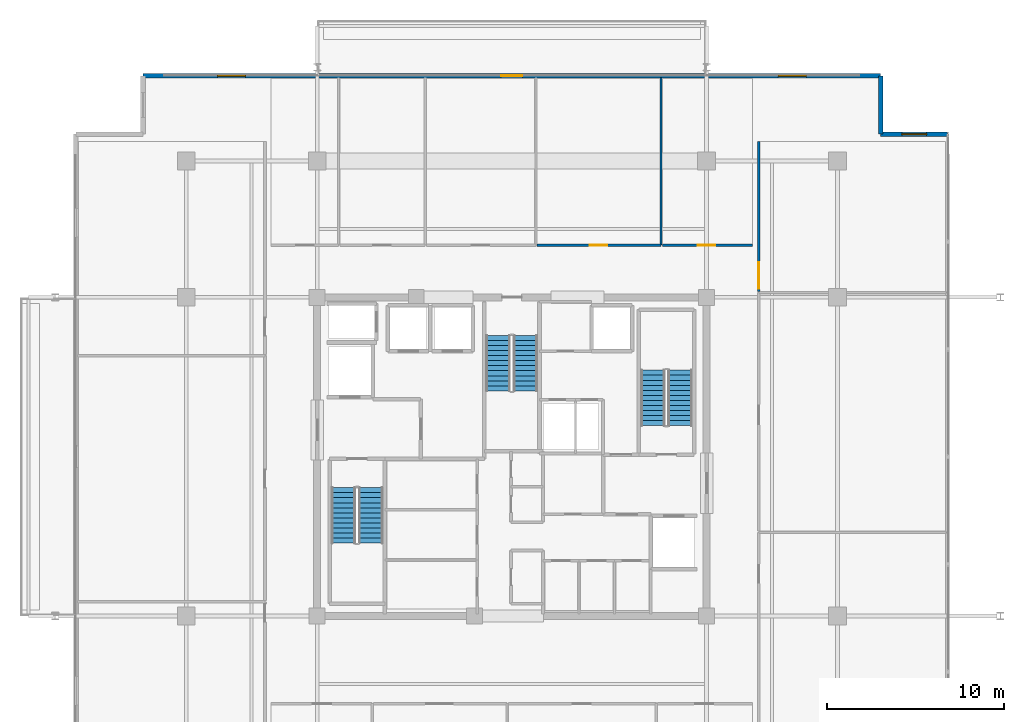
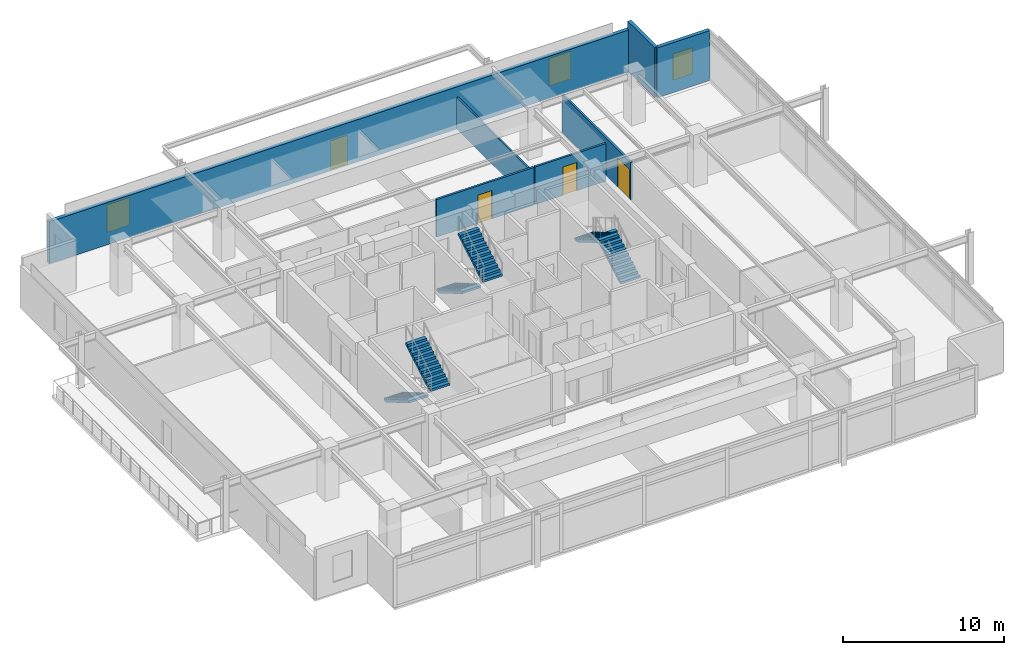
# One storey, part 16 of 20: 7 walls, 6 stair flights, 4 doors, 3 windows, 7 openings, 3 elements without a shape of their own.
"""IFC4 building model written with IfcOpenShell, lengths in metres."""

import ifcopenshell
import ifcopenshell.guid

model = None  # the IFC model being written
_history = None  # IfcOwnerHistory: only IFC2X3 demands one
_inside = {}  # id of a spatial element -> (the spatial element, [elements in it])
_under = {}  # id of a project, library or spatial element -> (it, [spatial elements below it])
_declared = {}  # id of a project -> (the project, [libraries it declares])
_typed = {}  # id of a type object -> (the type object, [elements of that type])
_made_of = {}  # id of a material, layer set ... -> (it, [elements and type objects made of it])


def new_model(schema):
    """Start an empty IFC model of exactly this schema.

    Asked for "IFC4X3", IfcOpenShell would pick the latest addendum, in which some entities
    have other attributes; the version numbers below select the first issue.
    IFC2X3 requires an IfcOwnerHistory on every rooted entity: one is made here for all.
    """
    global model, _history
    if schema == "IFC4X3":
        model = ifcopenshell.file(schema_version=(4, 3, 0, 0))
    else:
        model = ifcopenshell.file(schema=schema)
    _inside.clear()
    _under.clear()
    _declared.clear()
    _typed.clear()
    _made_of.clear()
    _history = None
    if model.schema == "IFC2X3":
        org = make("IfcOrganization", Name="unknown")
        user = make(
            "IfcPersonAndOrganization",
            ThePerson=make("IfcPerson", FamilyName="unknown"),
            TheOrganization=org,
        )
        app = make(
            "IfcApplication",
            ApplicationDeveloper=org,
            Version="unknown",
            ApplicationFullName="unknown",
            ApplicationIdentifier="unknown",
        )
        _history = make(
            "IfcOwnerHistory",
            OwningUser=user,
            OwningApplication=app,
            ChangeAction="ADDED",
            CreationDate=0,
        )
    return model


def make(cls, **values):
    """One entity of the class cls with the attributes given. An attribute that is None is left unset."""
    return model.create_entity(
        cls, **{name: value for name, value in values.items() if value is not None}
    )


def rooted(cls, **values):
    """An entity with a GlobalId (a new one), such as an element, a storey or a relation."""
    return make(cls, GlobalId=ifcopenshell.guid.new(), OwnerHistory=_history, **values)


def si_unit(unit_type, name, prefix=None):
    """IfcSIUnit, for example si_unit("LENGTHUNIT", "METRE", prefix="MILLI")."""
    return make("IfcSIUnit", UnitType=unit_type, Prefix=prefix, Name=name)


def assignment(units):
    """IfcUnitAssignment: the units of a project."""
    return None if units is None else make("IfcUnitAssignment", Units=units)


def point(xyz):
    """IfcCartesianPoint."""
    return None if xyz is None else make("IfcCartesianPoint", Coordinates=xyz)


def direction(xyz):
    """IfcDirection."""
    return None if xyz is None else make("IfcDirection", DirectionRatios=xyz)


def frame(location, z_axis=None, x_axis=None):
    """IfcAxis2Placement3D, a coordinate frame: its origin and axes. An axis left out is left unset."""
    return make(
        "IfcAxis2Placement3D",
        Location=point(location),
        Axis=direction(z_axis),
        RefDirection=direction(x_axis),
    )


def frame_2d(location, x_axis=None):
    """IfcAxis2Placement2D, a coordinate frame in the plane: its origin and x axis."""
    return make(
        "IfcAxis2Placement2D", Location=point(location), RefDirection=direction(x_axis)
    )


def origin():
    """The frame at (0, 0, 0) with its axes left unset."""
    return frame((0.0, 0.0, 0.0))


def place(relative_to, where):
    """IfcLocalPlacement: puts the frame where relative to a parent placement (None: the world)."""
    return make(
        "IfcLocalPlacement", PlacementRelTo=relative_to, RelativePlacement=where
    )


def context(
    kind, dimensions, precision=None, world=None, true_north=None, identifier=None
):
    """IfcGeometricRepresentationContext, for example the 3D "Model" context."""
    return make(
        "IfcGeometricRepresentationContext",
        ContextIdentifier=identifier,
        ContextType=kind,
        CoordinateSpaceDimension=dimensions,
        Precision=precision,
        WorldCoordinateSystem=world,
        TrueNorth=true_north,
    )


def subcontext(parent, identifier, kind, view, scale=None):
    """IfcGeometricRepresentationSubContext, for example "Body" below "Model"."""
    return make(
        "IfcGeometricRepresentationSubContext",
        ContextIdentifier=identifier,
        ContextType=kind,
        ParentContext=parent,
        TargetScale=scale,
        TargetView=view,
    )


def project(units=None, contexts=None):
    """IfcProject with its units and contexts."""
    return rooted(
        "IfcProject",
        Name="project",
        RepresentationContexts=contexts,
        UnitsInContext=assignment(units),
    )


def spatial(cls, under=None, at=None, **own):
    """A site, building, storey or space (cls), placed at a placement, below another one or the project."""
    s = rooted(cls, ObjectPlacement=at, **own)
    if under is not None:
        _under.setdefault(under.id(), (under, []))[1].append(s)
    return s


def polyline(points):
    """IfcPolyline through the points."""
    return make("IfcPolyline", Points=[point(p) for p in points])


def profile(cls, at=None, kind="AREA", **sizes):
    """A parametric profile (cls). Its sizes go by their IFC names, for example OverallWidth=200.0."""
    return make(cls, ProfileType=kind, Position=at, **sizes)


def rectangle(**sizes):
    """IfcRectangleProfileDef."""
    return profile("IfcRectangleProfileDef", **sizes)


def outline(outer, holes=None, kind="AREA"):
    """IfcArbitraryClosedProfileDef: a profile drawn as a closed curve; with holes, ...WithVoids."""
    if holes is None:
        return make("IfcArbitraryClosedProfileDef", ProfileType=kind, OuterCurve=outer)
    return make(
        "IfcArbitraryProfileDefWithVoids",
        ProfileType=kind,
        OuterCurve=outer,
        InnerCurves=holes,
    )


def extrude(swept, where, along, depth):
    """IfcExtrudedAreaSolid: the profile swept, set in the frame where, extruded along a direction by depth."""
    return make(
        "IfcExtrudedAreaSolid",
        SweptArea=swept,
        Position=where,
        ExtrudedDirection=direction(along),
        Depth=depth,
    )


def shape(context_of_items, identifier, shape_type, items):
    """IfcShapeRepresentation: the items that make up one representation, for example the "Body"."""
    return make(
        "IfcShapeRepresentation",
        ContextOfItems=context_of_items,
        RepresentationIdentifier=identifier,
        RepresentationType=shape_type,
        Items=items,
    )


def material(Name=None, Category=None):
    """IfcMaterial."""
    return make("IfcMaterial", Name=Name, Category=Category)


def layer(
    of_material, thickness, ventilated=None, Name=None, Category=None, Priority=None
):
    """IfcMaterialLayer: one layer of a wall or slab, of a material (None: an air gap)."""
    return make(
        "IfcMaterialLayer",
        Material=of_material,
        LayerThickness=thickness,
        IsVentilated=ventilated,
        Name=Name,
        Category=Category,
        Priority=Priority,
    )


def layer_set(layers, Name=None):
    """IfcMaterialLayerSet."""
    return make("IfcMaterialLayerSet", MaterialLayers=layers, LayerSetName=Name)


def made_of(thing, what):
    """Note that an element or type object is made of a material, layer set ...; save() writes the relation."""
    if what is not None:
        _made_of.setdefault(what.id(), (what, []))[1].append(thing)
    return thing


def type_object(cls, material=None, **own):
    """A type object (cls), such as IfcWallType, which elements share."""
    return made_of(rooted(cls, **own), material)


def element(
    cls,
    number,
    at=None,
    inside=None,
    cuts=None,
    type_object=None,
    material=None,
    context=None,
    identifier="Body",
    shape_type=None,
    held_by="IfcProductDefinitionShape",
    body=None,
    shapes=None,
    **own,
):
    """One element of the class cls, such as IfcWall. Its Tag is "e" and its number.

    at: its placement. inside: the storey or other place that contains it. cuts: it is an
    opening in that element (IfcRelVoidsElement). A single representation is given by context,
    identifier, shape_type and body (its items); several are given by shapes. held_by: the class
    of the entity that holds the representations. save() writes the other relations.
    """
    e = rooted(cls, Tag="e%d" % number, ObjectPlacement=at, **own)
    if body is not None:
        shapes = [shape(context, identifier, shape_type, body)]
    if shapes is not None:
        e.Representation = make(held_by, Representations=shapes)
    if inside is not None:
        _inside.setdefault(inside.id(), (inside, []))[1].append(e)
    if cuts is not None:
        rooted(
            "IfcRelVoidsElement", RelatingBuildingElement=cuts, RelatedOpeningElement=e
        )
    if type_object is not None:
        _typed.setdefault(type_object.id(), (type_object, []))[1].append(e)
    return made_of(e, material)


def fill(opening, filler):
    """IfcRelFillsElement: the door or window that sits in an opening."""
    return rooted(
        "IfcRelFillsElement",
        RelatingOpeningElement=opening,
        RelatedBuildingElement=filler,
    )


def aggregate(whole, parts):
    """IfcRelAggregates: a whole, such as a stair, and the parts it consists of."""
    return rooted("IfcRelAggregates", RelatingObject=whole, RelatedObjects=parts)


def save(model, path):
    """Write the relations noted so far, then the file.

    IfcRelAggregates (storeys below a building ...), IfcRelContainedInSpatialStructure (elements
    in a storey), IfcRelDefinesByType, IfcRelAssociatesMaterial and IfcRelDeclares: one each for
    every whole, place, type object, material and project.
    """
    for whole, parts in _under.values():
        aggregate(whole, parts)
    for where, things in _inside.values():
        rooted(
            "IfcRelContainedInSpatialStructure",
            RelatedElements=things,
            RelatingStructure=where,
        )
    for kind, things in _typed.values():
        rooted("IfcRelDefinesByType", RelatedObjects=things, RelatingType=kind)
    for what, things in _made_of.values():
        rooted("IfcRelAssociatesMaterial", RelatedObjects=things, RelatingMaterial=what)
    for by, libraries in _declared.values():
        rooted("IfcRelDeclares", RelatingContext=by, RelatedDefinitions=libraries)
    model.write(path)


model = new_model("IFC4")

# Units and contexts
model_context = context("Model", 3, precision=1e-05, world=origin(), true_north=direction((0.0, 1.0)))
body_context = subcontext(model_context, "Body", "Model", "MODEL_VIEW")
ifc_project = project(units=[si_unit("LENGTHUNIT", "METRE"), si_unit("AREAUNIT", "SQUARE_METRE"), si_unit("VOLUMEUNIT", "CUBIC_METRE"), si_unit("PLANEANGLEUNIT", "RADIAN"), si_unit("MASSUNIT", "GRAM", prefix="KILO")], contexts=[model_context])

# Site, building, storey
site_placement = place(None, origin())
site = spatial("IfcSite", under=ifc_project, at=site_placement, CompositionType="ELEMENT")
building_placement = place(site_placement, origin())
building = spatial("IfcBuilding", under=site, at=building_placement, Name="Kovane Verandah Tower", CompositionType="ELEMENT")
storey_placement = place(building_placement, frame((0.0, 0.0, 330.800048828125)))
storey = spatial("IfcBuildingStorey", under=building, at=storey_placement, Name="L77", CompositionType="ELEMENT", Elevation=330.800048828125)

# Wall, opening, door
ifc_material_1 = material(Name="Fire-Rated Gypsum Stud Partition", Category="gypsum")
ifc_layer_1 = layer(ifc_material_1, 0.14990234375)
ifc_layer_set_1 = layer_set([ifc_layer_1], Name="Fire-Rated Gypsum Stud Partition")
wall_type_1 = type_object("IfcWallType", Name="WL-COR-150", PredefinedType="PARTITIONING", material=ifc_layer_set_1)
wall_1_placement = place(storey_placement, frame((41.429931640625, 39.449951171875, 0.0), z_axis=(0.0, 0.0, 1.0), x_axis=(1.0, 0.0, 0.0)))
wall_1 = element("IfcWall", 1, at=wall_1_placement, inside=storey, type_object=wall_type_1, Name="L77 Document and Print Room N4 Corridor Partition", PredefinedType="PARTITIONING", context=body_context, shape_type="SweptSolid", body=[
    extrude(rectangle(XDim=7.001953125, YDim=0.14990234375, at=frame_2d((3.5009765625, 0.0))), origin(), (0.0, 0.0, 1.0), 2.849853515625),
])
opening_1_placement = place(wall_1_placement, frame((2.966064453125, 0.0, 0.0)))
opening_1 = element("IfcOpeningElement", 2, at=opening_1_placement, cuts=wall_1, Name="Opening DR-L77-027", PredefinedType="OPENING", context=body_context, shape_type="SweptSolid", body=[
    extrude(rectangle(XDim=1.0, YDim=2.14990234375, at=frame_2d((0.5, 1.074951171875))), frame((0.0, 0.074951171875, 0.0), z_axis=(0.0, -1.0, 0.0), x_axis=(1.0, 0.0, 0.0)), (0.0, 0.0, 1.0), 0.14990234375),
])
ifc_material_2 = material(Name="FSC Spotted-Gum Timber Fire-Rated Office Door", Category="wood")
door_type_1 = type_object("IfcDoorType", Name="DR-OFF-1000", OperationType="SINGLE_SWING_LEFT", PredefinedType="DOOR", material=ifc_material_2)
door_1_placement = place(opening_1_placement, origin())
door_1 = element("IfcDoor", 3, at=door_1_placement, inside=storey, type_object=door_type_1, Name="L77 Document and Print Room N4 Entrance Door", OperationType="SINGLE_SWING_RIGHT", OverallHeight=2.14990234375, OverallWidth=1.0, PredefinedType="DOOR", context=body_context, shape_type="SweptSolid", body=[
    extrude(rectangle(XDim=1.0, YDim=2.14990234375, at=frame_2d((0.5, 1.074951171875))), frame((0.0, 0.02490234375, 0.0), z_axis=(0.0, -1.0, 0.0), x_axis=(1.0, 0.0, 0.0)), (0.0, 0.0, 1.0), 0.050048828125),
])
fill(opening_1, door_1)

wall_2_placement = place(storey_placement, frame((48.501953125, 39.449951171875, 0.0), z_axis=(0.0, 0.0, 1.0), x_axis=(1.0, 0.0, 0.0)))
wall_2 = element("IfcWall", 4, at=wall_2_placement, inside=storey, type_object=wall_type_1, Name="L77 Open Plan Office N5 Corridor Partition", PredefinedType="PARTITIONING", context=body_context, shape_type="SweptSolid", body=[
    extrude(rectangle(XDim=5.09814453125, YDim=0.14990234375, at=frame_2d((2.549072265625, 0.0))), origin(), (0.0, 0.0, 1.0), 2.849853515625),
])
opening_2_placement = place(wall_2_placement, frame((1.9990234375, 0.0, 0.0)))
opening_2 = element("IfcOpeningElement", 5, at=opening_2_placement, cuts=wall_2, Name="Opening DR-L77-028", PredefinedType="OPENING", context=body_context, shape_type="SweptSolid", body=[
    extrude(rectangle(XDim=1.0, YDim=2.14990234375, at=frame_2d((0.5, 1.074951171875))), frame((0.0, 0.074951171875, 0.0), z_axis=(0.0, -1.0, 0.0), x_axis=(1.0, 0.0, 0.0)), (0.0, 0.0, 1.0), 0.14990234375),
])
door_2_placement = place(opening_2_placement, origin())
door_2 = element("IfcDoor", 6, at=door_2_placement, inside=storey, type_object=door_type_1, Name="L77 Open Plan Office N5 Entrance Door", OperationType="SINGLE_SWING_LEFT", OverallHeight=2.14990234375, OverallWidth=1.0, PredefinedType="DOOR", context=body_context, shape_type="SweptSolid", body=[
    extrude(rectangle(XDim=1.0, YDim=2.14990234375, at=frame_2d((0.5, 1.074951171875))), frame((0.0, 0.02490234375, 0.0), z_axis=(0.0, -1.0, 0.0), x_axis=(1.0, 0.0, 0.0)), (0.0, 0.0, 1.0), 0.050048828125),
])
fill(opening_2, door_2)

wall_3_placement = place(storey_placement, frame((53.949951171875, 36.83544921875, 0.0), z_axis=(0.0, 0.0, 1.0), x_axis=(0.0, 1.0, 0.0)))
wall_3 = element("IfcWall", 7, at=wall_3_placement, inside=storey, type_object=wall_type_1, Name="L77 Client Boardroom E3 Corridor Partition", PredefinedType="PARTITIONING", context=body_context, shape_type="SweptSolid", body=[
    extrude(rectangle(XDim=8.482666015625, YDim=0.14990234375, at=frame_2d((4.2412109375, 0.0))), origin(), (0.0, 0.0, 1.0), 2.849853515625),
])
opening_3_placement = place(wall_3_placement, frame((0.139892578125, 0.0, 0.0)))
opening_3 = element("IfcOpeningElement", 8, at=opening_3_placement, cuts=wall_3, Name="Opening DR-L77-013", PredefinedType="OPENING", context=body_context, shape_type="SweptSolid", body=[
    extrude(rectangle(XDim=1.5, YDim=2.25, at=frame_2d((0.75, 1.125))), frame((0.0, 0.074951171875, 0.0), z_axis=(0.0, -1.0, 0.0), x_axis=(1.0, 0.0, 0.0)), (0.0, 0.0, 1.0), 0.14990234375),
])
ifc_material_3 = material(Name="Glazed Timber Fire-Rated Double Door", Category="wood")
door_type_2 = type_object("IfcDoorType", Name="DR-CONF-1500", OperationType="DOUBLE_DOOR_SINGLE_SWING", PredefinedType="DOOR", material=ifc_material_3)
door_3_placement = place(opening_3_placement, origin())
door_3 = element("IfcDoor", 9, at=door_3_placement, inside=storey, type_object=door_type_2, Name="L77 Client Boardroom E3 Entrance Door", OperationType="DOUBLE_DOOR_SINGLE_SWING", OverallHeight=2.25, OverallWidth=1.5, PredefinedType="DOOR", context=body_context, shape_type="SweptSolid", body=[
    extrude(rectangle(XDim=1.5, YDim=2.25, at=frame_2d((0.75, 1.125))), frame((0.0, 0.02490234375, 0.0), z_axis=(0.0, -1.0, 0.0), x_axis=(1.0, 0.0, 0.0)), (0.0, 0.0, 1.0), 0.050048828125),
])
fill(opening_3, door_3)

# Wall
ifc_material_4 = material(Name="Acoustic Fire-Rated Gypsum Partition", Category="gypsum")
ifc_layer_2 = layer(ifc_material_4, 0.1201171875)
ifc_layer_set_2 = layer_set([ifc_layer_2], Name="Acoustic Fire-Rated Gypsum Partition")
wall_type_2 = type_object("IfcWallType", Name="WL-PART-120", PredefinedType="PARTITIONING", material=ifc_layer_set_2)
wall_4_placement = place(storey_placement, frame((48.431884765625, 39.449951171875, 0.0), z_axis=(0.0, 0.0, 1.0), x_axis=(0.0, 1.0, 0.0)))
element("IfcWall", 10, at=wall_4_placement, inside=storey, type_object=wall_type_2, Name="L77 Document and Print Room N4 Dividing Partition", PredefinedType="PARTITIONING", context=body_context, shape_type="SweptSolid", body=[
    extrude(rectangle(XDim=9.46826171875, YDim=0.1201171875, at=frame_2d((4.734130859375, 0.0))), origin(), (0.0, 0.0, 1.0), 2.4150390625),
])

# Wall, openings, door, windows
ifc_material_5 = material(Name="Concrete C45/55 Insulated Spandrel Wall", Category="concrete")
ifc_layer_3 = layer(ifc_material_5, 0.260009765625)
ifc_layer_set_3 = layer_set([ifc_layer_3], Name="Concrete C45/55 Insulated Spandrel Wall")
wall_type_3 = type_object("IfcWallType", Name="WL-SPANDREL-260", PredefinedType="PARAPET", material=ifc_layer_set_3)
wall_5_placement = place(storey_placement, frame((60.83642578125, 49.018310546875, 0.0), z_axis=(0.0, 0.0, 1.0), x_axis=(-1.0, 0.0, 0.0)))
wall_5 = element("IfcWall", 11, at=wall_5_placement, inside=storey, type_object=wall_type_3, Name="L77 N Verandah Access Facade Wall", PredefinedType="PARAPET", context=body_context, shape_type="SweptSolid", body=[
    extrude(rectangle(XDim=41.6728515625, YDim=0.260009765625, at=frame_2d((20.83642578125, 0.0))), origin(), (0.0, 0.0, 1.0), 3.195556640625),
])
opening_4_placement = place(wall_5_placement, frame((4.199951171875, 0.0, 0.85009765625)))
opening_4 = element("IfcOpeningElement", 12, at=opening_4_placement, cuts=wall_5, Name="Opening W-02", PredefinedType="OPENING", context=body_context, shape_type="SweptSolid", body=[
    extrude(rectangle(XDim=1.60009765625, YDim=2.10009765625, at=frame_2d((0.800048828125, 1.050048828125))), frame((0.0, 0.1298828125, 0.0), z_axis=(0.0, -1.0, 0.0), x_axis=(1.0, 0.0, 0.0)), (0.0, 0.0, 1.0), 0.260009765625),
])
opening_5_placement = place(wall_5_placement, frame((20.236328125, 0.0, 0.0)))
opening_5 = element("IfcOpeningElement", 13, at=opening_5_placement, cuts=wall_5, Name="Opening DR-L77-001", PredefinedType="OPENING", context=body_context, shape_type="SweptSolid", body=[
    extrude(rectangle(XDim=1.199951171875, YDim=2.199951171875, at=frame_2d((0.60009765625, 1.10009765625))), frame((0.0, 0.1298828125, 0.0), z_axis=(0.0, -1.0, 0.0), x_axis=(1.0, 0.0, 0.0)), (0.0, 0.0, 1.0), 0.260009765625),
])
opening_6_placement = place(wall_5_placement, frame((35.872802734375, 0.0, 0.85009765625)))
opening_6 = element("IfcOpeningElement", 14, at=opening_6_placement, cuts=wall_5, Name="Opening W-02", PredefinedType="OPENING", context=body_context, shape_type="SweptSolid", body=[
    extrude(rectangle(XDim=1.60009765625, YDim=2.10009765625, at=frame_2d((0.800048828125, 1.050048828125))), frame((0.0, 0.1298828125, 0.0), z_axis=(0.0, -1.0, 0.0), x_axis=(1.0, 0.0, 0.0)), (0.0, 0.0, 1.0), 0.260009765625),
])
ifc_material_6 = material(Name="Cyclone-Rated Glazed Balcony Leaf Door", Category="aluminium")
door_type_3 = type_object("IfcDoorType", Name="DR-BAL-1200x2200", OperationType="SINGLE_SWING_LEFT", PredefinedType="DOOR", material=ifc_material_6)
door_4_placement = place(opening_5_placement, origin())
door_4 = element("IfcDoor", 15, at=door_4_placement, inside=storey, type_object=door_type_3, Name="L77 N Planted Balcony Access Door", OperationType="SINGLE_SWING_LEFT", OverallHeight=2.199951171875, OverallWidth=1.199951171875, PredefinedType="DOOR", context=body_context, shape_type="SweptSolid", body=[
    extrude(rectangle(XDim=1.199951171875, YDim=2.199951171875, at=frame_2d((0.60009765625, 1.10009765625))), frame((0.0, 0.02490234375, 0.0), z_axis=(0.0, -1.0, 0.0), x_axis=(1.0, 0.0, 0.0)), (0.0, 0.0, 1.0), 0.050048828125),
])
fill(opening_5, door_4)
ifc_material_7 = material(Name="Clear Low-E Laminated Double Glazing in Anodised Frame", Category="glass")
window_type_1 = type_object("IfcWindowType", Name="WN-OPER-1600x2100", PartitioningType="SINGLE_PANEL", PredefinedType="WINDOW", material=ifc_material_7)
window_1_placement = place(opening_4_placement, origin())
window_1 = element("IfcWindow", 16, at=window_1_placement, inside=storey, type_object=window_type_1, Name="L77 N Verandah View Window 1", OverallHeight=2.10009765625, OverallWidth=1.60009765625, PartitioningType="SINGLE_PANEL", PredefinedType="WINDOW", context=body_context, shape_type="SweptSolid", body=[
    extrude(rectangle(XDim=1.60009765625, YDim=2.10009765625, at=frame_2d((0.800048828125, 1.050048828125))), frame((0.0, 0.030029296875, 0.0), z_axis=(0.0, -1.0, 0.0), x_axis=(1.0, 0.0, 0.0)), (0.0, 0.0, 1.0), 0.06005859375),
])
fill(opening_4, window_1)
window_2_placement = place(opening_6_placement, origin())
window_2 = element("IfcWindow", 17, at=window_2_placement, inside=storey, type_object=window_type_1, Name="L77 N Verandah View Window 2", OverallHeight=2.10009765625, OverallWidth=1.60009765625, PartitioningType="SINGLE_PANEL", PredefinedType="WINDOW", context=body_context, shape_type="SweptSolid", body=[
    extrude(rectangle(XDim=1.60009765625, YDim=2.10009765625, at=frame_2d((0.800048828125, 1.050048828125))), frame((0.0, 0.030029296875, 0.0), z_axis=(0.0, -1.0, 0.0), x_axis=(1.0, 0.0, 0.0)), (0.0, 0.0, 1.0), 0.06005859375),
])
fill(opening_6, window_2)

# Wall, opening, window
wall_6_placement = place(storey_placement, frame((64.636474609375, 45.71826171875, 0.0), z_axis=(0.0, 0.0, 1.0), x_axis=(-1.0, 0.0, 0.0)))
wall_6 = element("IfcWall", 18, at=wall_6_placement, inside=storey, type_object=wall_type_3, Name="L77 NE Notch Cheek Wall 1", PredefinedType="PARAPET", context=body_context, shape_type="SweptSolid", body=[
    extrude(rectangle(XDim=3.800048828125, YDim=0.260009765625, at=frame_2d((1.89990234375, 0.0))), origin(), (0.0, 0.0, 1.0), 3.784912109375),
])
opening_7_placement = place(wall_6_placement, frame((1.199951171875, 0.0, 0.85009765625)))
opening_7 = element("IfcOpeningElement", 19, at=opening_7_placement, cuts=wall_6, Name="Opening W-01", PredefinedType="OPENING", context=body_context, shape_type="SweptSolid", body=[
    extrude(rectangle(XDim=1.39990234375, YDim=2.0, at=frame_2d((0.699951171875, 1.0))), frame((0.0, 0.1298828125, 0.0), z_axis=(0.0, -1.0, 0.0), x_axis=(1.0, 0.0, 0.0)), (0.0, 0.0, 1.0), 0.260009765625),
])
window_type_2 = type_object("IfcWindowType", Name="WN-OPER-1400x2000", PartitioningType="SINGLE_PANEL", PredefinedType="WINDOW", material=ifc_material_7)
window_3_placement = place(opening_7_placement, origin())
window_3 = element("IfcWindow", 20, at=window_3_placement, inside=storey, type_object=window_type_2, Name="L77 NE Re-Entrant Corner Operable Window", OverallHeight=2.0, OverallWidth=1.39990234375, PartitioningType="SINGLE_PANEL", PredefinedType="WINDOW", context=body_context, shape_type="SweptSolid", body=[
    extrude(rectangle(XDim=1.39990234375, YDim=2.0, at=frame_2d((0.699951171875, 1.0))), frame((0.0, 0.030029296875, 0.0), z_axis=(0.0, -1.0, 0.0), x_axis=(1.0, 0.0, 0.0)), (0.0, 0.0, 1.0), 0.06005859375),
])
fill(opening_7, window_3)

# Wall
wall_7_placement = place(storey_placement, frame((60.83642578125, 45.71826171875, 0.0), z_axis=(0.0, 0.0, 1.0), x_axis=(0.0, 1.0, 0.0)))
element("IfcWall", 21, at=wall_7_placement, inside=storey, type_object=wall_type_3, Name="L77 NE Notch Cheek Wall 2", PredefinedType="PARAPET", context=body_context, shape_type="SweptSolid", body=[
    extrude(rectangle(XDim=3.300048828125, YDim=0.260009765625, at=frame_2d((1.64990234375, 0.0))), origin(), (0.0, 0.0, 1.0), 3.784912109375),
])

# Stair, stair flights
ifc_material_8 = material(Name="Concrete C45/55", Category="concrete")
stair_type = type_object("IfcStairType", Name="ST-CORE-1380", PredefinedType="HALF_TURN_STAIR", material=ifc_material_8)
stair_1_placement = place(storey_placement, origin())
stair_1 = element("IfcStair", 22, at=stair_1_placement, inside=storey, type_object=stair_type, Name="L77 Exit Stair ST-01", PredefinedType="HALF_TURN_STAIR")
stair_flight_type = type_object("IfcStairFlightType", Name="STF-CORE-1380", PredefinedType="STRAIGHT", material=ifc_material_8)
stair_flight_1_placement = place(storey_placement, frame((30.489990234375, 25.75, 0.0), z_axis=(0.0, 0.0, 1.0), x_axis=(0.0, -1.0, 0.0)))
stair_flight_1 = element("IfcStairFlight", 23, at=stair_flight_1_placement, type_object=stair_flight_type, Name="ST-01 flight 1", NumberOfRisers=12, NumberOfTreads=11, PredefinedType="STRAIGHT", RiserHeight=0.166666667, TreadLength=0.285, context=body_context, shape_type="SweptSolid", body=[
    extrude(outline(polyline([(0.0, 0.0), (0.0, 0.166748046875), (0.284912109375, 0.166748046875), (0.284912109375, 0.333251953125), (0.570068359375, 0.333251953125), (0.570068359375, 0.5), (0.85498046875, 0.5), (0.85498046875, 0.666748046875), (1.139892578125, 0.666748046875), (1.139892578125, 0.833251953125), (1.425048828125, 0.833251953125), (1.425048828125, 1.0), (1.7099609375, 1.0), (1.7099609375, 1.166748046875), (1.9951171875, 1.166748046875), (1.9951171875, 1.333251953125), (2.280029296875, 1.333251953125), (2.280029296875, 1.5), (2.56494140625, 1.5), (2.56494140625, 1.666748046875), (2.85009765625, 1.666748046875), (2.85009765625, 1.833251953125), (3.135009765625, 1.833251953125), (3.135009765625, 2.0), (3.135009765625, 1.65966796875), (0.296875, 0.0), (0.0, 0.0)])), frame((0.0, 0.68994140625, 0.0), z_axis=(0.0, -1.0, 0.0), x_axis=(1.0, 0.0, 0.0)), (0.0, 0.0, 1.0), 1.3798828125),
])
stair_flight_2_placement = place(storey_placement, frame((32.030029296875, 22.614990234375, 2.0), z_axis=(0.0, 0.0, 1.0), x_axis=(0.0, 1.0, 0.0)))
stair_flight_2 = element("IfcStairFlight", 24, at=stair_flight_2_placement, type_object=stair_flight_type, Name="ST-01 flight 2", NumberOfRisers=12, NumberOfTreads=11, PredefinedType="STRAIGHT", RiserHeight=0.166666667, TreadLength=0.285, context=body_context, shape_type="SweptSolid", body=[
    extrude(outline(polyline([(0.0, 0.0), (0.0, 0.166748046875), (0.284912109375, 0.166748046875), (0.284912109375, 0.333251953125), (0.570068359375, 0.333251953125), (0.570068359375, 0.5), (0.85498046875, 0.5), (0.85498046875, 0.666748046875), (1.139892578125, 0.666748046875), (1.139892578125, 0.833251953125), (1.425048828125, 0.833251953125), (1.425048828125, 1.0), (1.7099609375, 1.0), (1.7099609375, 1.166748046875), (1.9951171875, 1.166748046875), (1.9951171875, 1.333251953125), (2.280029296875, 1.333251953125), (2.280029296875, 1.5), (2.56494140625, 1.5), (2.56494140625, 1.666748046875), (2.85009765625, 1.666748046875), (2.85009765625, 1.833251953125), (3.135009765625, 1.833251953125), (3.135009765625, 2.0), (3.135009765625, 1.65966796875), (0.296875, 0.0), (0.0, 0.0)])), frame((0.0, 0.68994140625, 0.0), z_axis=(0.0, -1.0, 0.0), x_axis=(1.0, 0.0, 0.0)), (0.0, 0.0, 1.0), 1.3798828125),
])
aggregate(stair_1, [stair_flight_1, stair_flight_2])

stair_2_placement = place(storey_placement, origin())
stair_2 = element("IfcStair", 25, at=stair_2_placement, inside=storey, type_object=stair_type, Name="L77 Exit Stair ST-02", PredefinedType="HALF_TURN_STAIR")
stair_flight_3_placement = place(storey_placement, frame((49.510009765625, 29.25, 0.0), z_axis=(0.0, 0.0, 1.0), x_axis=(0.0, 1.0, 0.0)))
stair_flight_3 = element("IfcStairFlight", 26, at=stair_flight_3_placement, type_object=stair_flight_type, Name="ST-02 flight 1", NumberOfRisers=12, NumberOfTreads=11, PredefinedType="STRAIGHT", RiserHeight=0.166666667, TreadLength=0.285, context=body_context, shape_type="SweptSolid", body=[
    extrude(outline(polyline([(0.0, 0.0), (0.0, 0.166748046875), (0.284912109375, 0.166748046875), (0.284912109375, 0.333251953125), (0.570068359375, 0.333251953125), (0.570068359375, 0.5), (0.85498046875, 0.5), (0.85498046875, 0.666748046875), (1.139892578125, 0.666748046875), (1.139892578125, 0.833251953125), (1.425048828125, 0.833251953125), (1.425048828125, 1.0), (1.7099609375, 1.0), (1.7099609375, 1.166748046875), (1.9951171875, 1.166748046875), (1.9951171875, 1.333251953125), (2.280029296875, 1.333251953125), (2.280029296875, 1.5), (2.56494140625, 1.5), (2.56494140625, 1.666748046875), (2.85009765625, 1.666748046875), (2.85009765625, 1.833251953125), (3.135009765625, 1.833251953125), (3.135009765625, 2.0), (3.135009765625, 1.65966796875), (0.296875, 0.0), (0.0, 0.0)])), frame((0.0, 0.68994140625, 0.0), z_axis=(0.0, -1.0, 0.0), x_axis=(1.0, 0.0, 0.0)), (0.0, 0.0, 1.0), 1.3798828125),
])
stair_flight_4_placement = place(storey_placement, frame((47.969970703125, 32.385009765625, 2.0), z_axis=(0.0, 0.0, 1.0), x_axis=(0.0, -1.0, 0.0)))
stair_flight_4 = element("IfcStairFlight", 27, at=stair_flight_4_placement, type_object=stair_flight_type, Name="ST-02 flight 2", NumberOfRisers=12, NumberOfTreads=11, PredefinedType="STRAIGHT", RiserHeight=0.166666667, TreadLength=0.285, context=body_context, shape_type="SweptSolid", body=[
    extrude(outline(polyline([(0.0, 0.0), (0.0, 0.166748046875), (0.284912109375, 0.166748046875), (0.284912109375, 0.333251953125), (0.570068359375, 0.333251953125), (0.570068359375, 0.5), (0.85498046875, 0.5), (0.85498046875, 0.666748046875), (1.139892578125, 0.666748046875), (1.139892578125, 0.833251953125), (1.425048828125, 0.833251953125), (1.425048828125, 1.0), (1.7099609375, 1.0), (1.7099609375, 1.166748046875), (1.9951171875, 1.166748046875), (1.9951171875, 1.333251953125), (2.280029296875, 1.333251953125), (2.280029296875, 1.5), (2.56494140625, 1.5), (2.56494140625, 1.666748046875), (2.85009765625, 1.666748046875), (2.85009765625, 1.833251953125), (3.135009765625, 1.833251953125), (3.135009765625, 2.0), (3.135009765625, 1.65966796875), (0.296875, 0.0), (0.0, 0.0)])), frame((0.0, 0.68994140625, 0.0), z_axis=(0.0, -1.0, 0.0), x_axis=(1.0, 0.0, 0.0)), (0.0, 0.0, 1.0), 1.3798828125),
])
aggregate(stair_2, [stair_flight_3, stair_flight_4])

stair_3_placement = place(storey_placement, origin())
stair_3 = element("IfcStair", 28, at=stair_3_placement, inside=storey, type_object=stair_type, Name="L77 Exit Stair ST-03", PredefinedType="HALF_TURN_STAIR")
stair_flight_5_placement = place(storey_placement, frame((39.22998046875, 34.35009765625, 0.0), z_axis=(0.0, 0.0, 1.0), x_axis=(0.0, -1.0, 0.0)))
stair_flight_5 = element("IfcStairFlight", 29, at=stair_flight_5_placement, type_object=stair_flight_type, Name="ST-03 flight 1", NumberOfRisers=12, NumberOfTreads=11, PredefinedType="STRAIGHT", RiserHeight=0.166666667, TreadLength=0.285, context=body_context, shape_type="SweptSolid", body=[
    extrude(outline(polyline([(0.0, 0.0), (0.0, 0.166748046875), (0.284912109375, 0.166748046875), (0.284912109375, 0.333251953125), (0.570068359375, 0.333251953125), (0.570068359375, 0.5), (0.85498046875, 0.5), (0.85498046875, 0.666748046875), (1.139892578125, 0.666748046875), (1.139892578125, 0.833251953125), (1.425048828125, 0.833251953125), (1.425048828125, 1.0), (1.7099609375, 1.0), (1.7099609375, 1.166748046875), (1.9951171875, 1.166748046875), (1.9951171875, 1.333251953125), (2.280029296875, 1.333251953125), (2.280029296875, 1.5), (2.56494140625, 1.5), (2.56494140625, 1.666748046875), (2.85009765625, 1.666748046875), (2.85009765625, 1.833251953125), (3.135009765625, 1.833251953125), (3.135009765625, 2.0), (3.135009765625, 1.65966796875), (0.296875, 0.0), (0.0, 0.0)])), frame((0.0, 0.68994140625, 0.0), z_axis=(0.0, -1.0, 0.0), x_axis=(1.0, 0.0, 0.0)), (0.0, 0.0, 1.0), 1.3798828125),
])
stair_flight_6_placement = place(storey_placement, frame((40.77001953125, 31.215087890625, 2.0), z_axis=(0.0, 0.0, 1.0), x_axis=(0.0, 1.0, 0.0)))
stair_flight_6 = element("IfcStairFlight", 30, at=stair_flight_6_placement, type_object=stair_flight_type, Name="ST-03 flight 2", NumberOfRisers=12, NumberOfTreads=11, PredefinedType="STRAIGHT", RiserHeight=0.166666667, TreadLength=0.285, context=body_context, shape_type="SweptSolid", body=[
    extrude(outline(polyline([(0.0, 0.0), (0.0, 0.166748046875), (0.284912109375, 0.166748046875), (0.284912109375, 0.333251953125), (0.570068359375, 0.333251953125), (0.570068359375, 0.5), (0.85498046875, 0.5), (0.85498046875, 0.666748046875), (1.139892578125, 0.666748046875), (1.139892578125, 0.833251953125), (1.425048828125, 0.833251953125), (1.425048828125, 1.0), (1.7099609375, 1.0), (1.7099609375, 1.166748046875), (1.9951171875, 1.166748046875), (1.9951171875, 1.333251953125), (2.280029296875, 1.333251953125), (2.280029296875, 1.5), (2.56494140625, 1.5), (2.56494140625, 1.666748046875), (2.85009765625, 1.666748046875), (2.85009765625, 1.833251953125), (3.135009765625, 1.833251953125), (3.135009765625, 2.0), (3.135009765625, 1.65966796875), (0.296875, 0.0), (0.0, 0.0)])), frame((0.0, 0.68994140625, 0.0), z_axis=(0.0, -1.0, 0.0), x_axis=(1.0, 0.0, 0.0)), (0.0, 0.0, 1.0), 1.3798828125),
])
aggregate(stair_3, [stair_flight_5, stair_flight_6])

save(model, "model.ifc")
